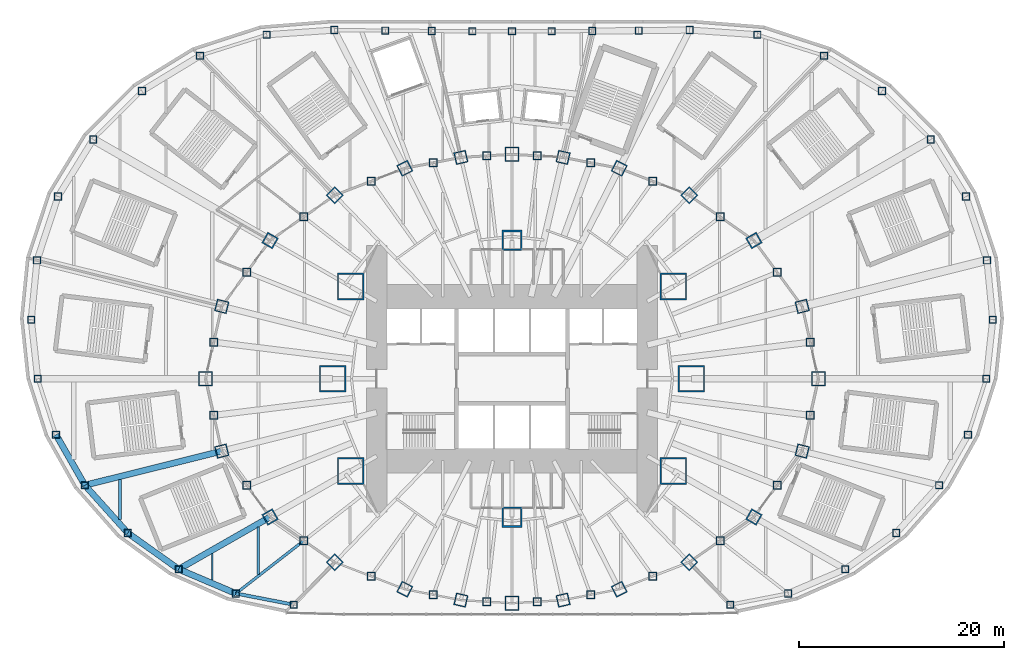
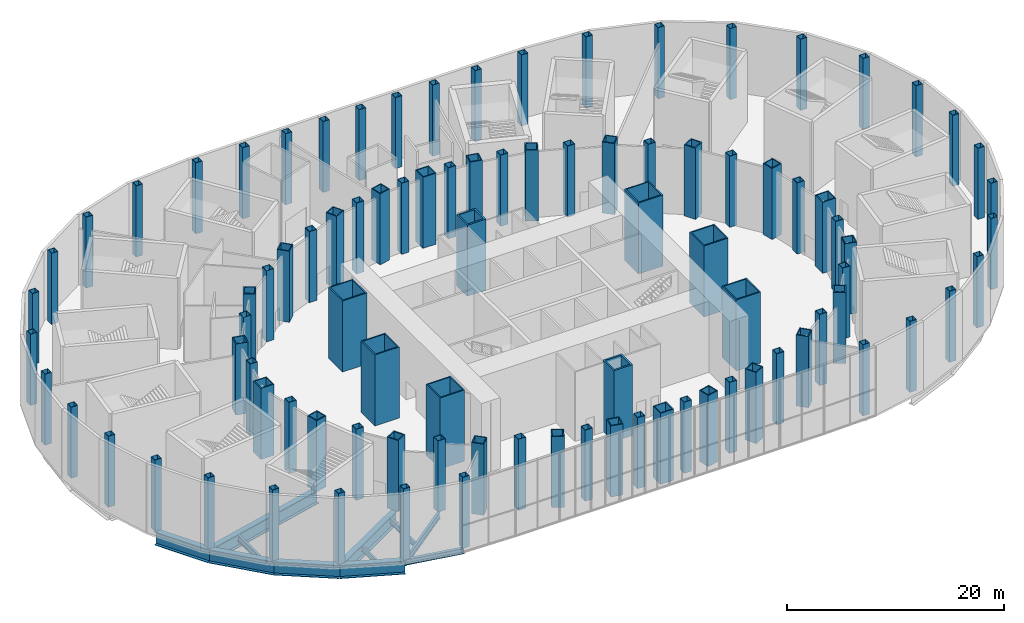
# One storey, part 1 of 74: 93 columns, 11 beams.
"""IFC4 building model written with IfcOpenShell, lengths in metres."""

from ifc_helpers import new_model, si_unit, direction, frame, origin, origin_2d, place, context, subcontext, project, spatial, rectangle, hollow_rectangle, i_section, extrude, material, material_profile, profile_set, type_object, element, save


model = new_model("IFC4")

# Units and contexts
model_context = context("Model", 3, precision=1e-05, world=origin(), true_north=direction((0.0, 1.0)))
body_context = subcontext(model_context, "Body", "Model", "MODEL_VIEW")
ifc_project = project(units=[si_unit("LENGTHUNIT", "METRE"), si_unit("AREAUNIT", "SQUARE_METRE"), si_unit("VOLUMEUNIT", "CUBIC_METRE"), si_unit("PLANEANGLEUNIT", "RADIAN"), si_unit("MASSUNIT", "GRAM", prefix="KILO")], contexts=[model_context])

# Site, building, storey
site_placement = place(None, origin())
site = spatial("IfcSite", under=ifc_project, at=site_placement, CompositionType="ELEMENT")
building_placement = place(site_placement, origin())
building = spatial("IfcBuilding", under=site, at=building_placement, Name="Lantaw Convention Tower", CompositionType="ELEMENT")
storey_placement = place(building_placement, frame((0.0, 0.0, 6.5)))
storey = spatial("IfcBuildingStorey", under=building, at=storey_placement, Name="L01", CompositionType="ELEMENT", Elevation=6.5)

# Columns
ifc_material_1 = material(Name="Steel EN 10025-3 S460N", Category="steel")
ifc_material_profile_1 = material_profile(ifc_material_1, hollow_rectangle(XDim=2.0, YDim=2.0, WallThickness=0.169921875, at=origin_2d()), Name="BOX2000X170")
ifc_material_2 = material(Name="Concrete C60/75", Category="concrete")
ifc_material_profile_2 = material_profile(ifc_material_2, rectangle(XDim=1.659912109375, YDim=1.659912109375, at=origin_2d()), Name="Concrete fill of BOX2000X170")
ifc_profile_set_1 = profile_set([ifc_material_profile_1, ifc_material_profile_2], Name="Steel EN 10025-3 S460N")
column_type_1 = type_object("IfcColumnType", Name="Column MC BOX2000X170", PredefinedType="COLUMN", material=ifc_profile_set_1)
for number, where, z_axis, x_axis, name in (
    (1, (0.0, 13.5, 0.0), (0.0, 0.0, 1.0), (1.0, 0.0, 0.0), "Mega column M3"),
    (2, (0.0, -13.5, 0.0), (0.0, 0.0, 1.0), (1.0, 0.0, 0.0), "Mega column M7"),
):
    element("IfcColumn", number, at=place(storey_placement, frame(where, z_axis=z_axis, x_axis=x_axis)), inside=storey, type_object=column_type_1, Name=name, PredefinedType="COLUMN", context=body_context, shape_type="SweptSolid", body=[
        extrude(hollow_rectangle(XDim=2.0, YDim=2.0, WallThickness=0.169921875, at=origin_2d()), origin(), (0.0, 0.0, 1.0), 8.0),
    ])
ifc_material_profile_3 = material_profile(ifc_material_1, hollow_rectangle(XDim=2.60009765625, YDim=2.60009765625, WallThickness=0.1298828125, at=origin_2d()), Name="BOX2600X130")
ifc_material_profile_4 = material_profile(ifc_material_2, rectangle(XDim=2.340087890625, YDim=2.340087890625, at=origin_2d()), Name="Concrete fill of BOX2600X130")
ifc_profile_set_2 = profile_set([ifc_material_profile_3, ifc_material_profile_4], Name="Steel EN 10025-3 S460N")
column_type_2 = type_object("IfcColumnType", Name="Column MC BOX2600X130", PredefinedType="COLUMN", material=ifc_profile_set_2)
for number, where, z_axis, x_axis, name in (
    (3, (17.5, 0.0, 0.0), (0.0, 0.0, 1.0), (1.0, 0.0, 0.0), "Mega column M1"),
    (4, (15.75, 9.0, 0.0), (0.0, 0.0, 1.0), (1.0, 0.0, 0.0), "Mega column M2"),
    (5, (-15.75, 9.0, 0.0), (0.0, 0.0, 1.0), (1.0, 0.0, 0.0), "Mega column M4"),
    (6, (-17.5, 0.0, 0.0), (0.0, 0.0, 1.0), (1.0, 0.0, 0.0), "Mega column M5"),
    (7, (-15.75, -9.0, 0.0), (0.0, 0.0, 1.0), (1.0, 0.0, 0.0), "Mega column M6"),
    (8, (15.75, -9.0, 0.0), (0.0, 0.0, 1.0), (1.0, 0.0, 0.0), "Mega column M8"),
):
    element("IfcColumn", number, at=place(storey_placement, frame(where, z_axis=z_axis, x_axis=x_axis)), inside=storey, type_object=column_type_2, Name=name, PredefinedType="COLUMN", context=body_context, shape_type="SweptSolid", body=[
        extrude(hollow_rectangle(XDim=2.60009765625, YDim=2.60009765625, WallThickness=0.1298828125, at=origin_2d()), origin(), (0.0, 0.0, 1.0), 8.0),
    ])
ifc_material_profile_5 = material_profile(ifc_material_1, hollow_rectangle(XDim=1.199951171875, YDim=1.199951171875, WallThickness=0.10009765625, at=origin_2d()), Name="BOX1200X100")
ifc_material_profile_6 = material_profile(ifc_material_2, rectangle(XDim=1.0, YDim=1.0, at=origin_2d()), Name="Concrete fill of BOX1200X100")
ifc_profile_set_3 = profile_set([ifc_material_profile_5, ifc_material_profile_6], Name="Steel EN 10025-3 S460N")
column_type_3 = type_object("IfcColumnType", Name="Column PC BOX1200X100", PredefinedType="COLUMN", material=ifc_profile_set_3)
for number, where, z_axis, x_axis, name in (
    (9, (28.31787109375, 7.060302734375, 0.0), (0.0, 0.0, 1.0), (0.970295726276, 0.2419218956, 0.0), "Perimeter column P2"),
    (10, (17.290771484375, 17.9052734375, 0.0), (0.0, 0.0, 1.0), (0.694658370459, 0.719339800339, 0.0), "Perimeter column P4"),
    (11, (10.462646484375, 20.533935546875, 0.0), (0.0, 0.0, 1.0), (0.45399049974, 0.891006524188, 0.0), "Perimeter column P5"),
    (12, (4.986328125, 21.59814453125, 0.0), (0.0, 0.0, 1.0), (0.224951054344, 0.974370064785, 0.0), "Perimeter column P6"),
    (13, (-4.986328125, 21.59814453125, 0.0), (0.0, 0.0, 1.0), (0.974370064785, 0.224951054344, 0.0), "Perimeter column P8"),
    (14, (-10.462646484375, 20.533935546875, 0.0), (0.0, 0.0, 1.0), (0.891006524188, 0.45399049974, 0.0), "Perimeter column P9"),
    (15, (-17.290771484375, 17.9052734375, 0.0), (0.0, 0.0, 1.0), (0.719339800339, 0.694658370459, 0.0), "Perimeter column P10"),
    (16, (-28.31787109375, 7.060302734375, 0.0), (0.0, 0.0, 1.0), (0.2419218956, 0.970295726276, 0.0), "Perimeter column P12"),
    (17, (-28.31787109375, -7.060302734375, 0.0), (0.0, 0.0, 1.0), (0.970295726276, 0.2419218956, 0.0), "Perimeter column P14"),
    (18, (-17.290771484375, -17.9052734375, 0.0), (0.0, 0.0, 1.0), (0.694658370459, 0.719339800339, 0.0), "Perimeter column P16"),
    (19, (-10.462646484375, -20.533935546875, 0.0), (0.0, 0.0, 1.0), (0.45399049974, 0.891006524188, 0.0), "Perimeter column P17"),
    (20, (-4.986328125, -21.59814453125, 0.0), (0.0, 0.0, 1.0), (0.224951054344, 0.974370064785, 0.0), "Perimeter column P18"),
    (21, (4.986328125, -21.59814453125, 0.0), (0.0, 0.0, 1.0), (0.974370064785, 0.224951054344, 0.0), "Perimeter column P20"),
    (22, (10.462646484375, -20.533935546875, 0.0), (0.0, 0.0, 1.0), (0.891006524188, 0.45399049974, 0.0), "Perimeter column P21"),
    (23, (17.290771484375, -17.9052734375, 0.0), (0.0, 0.0, 1.0), (0.719339800339, 0.694658370459, 0.0), "Perimeter column P22"),
    (24, (28.31787109375, -7.060302734375, 0.0), (0.0, 0.0, 1.0), (0.2419218956, 0.970295726276, 0.0), "Perimeter column P24"),
):
    element("IfcColumn", number, at=place(storey_placement, frame(where, z_axis=z_axis, x_axis=x_axis)), inside=storey, type_object=column_type_3, Name=name, PredefinedType="COLUMN", context=body_context, shape_type="SweptSolid", body=[
        extrude(hollow_rectangle(XDim=1.199951171875, YDim=1.199951171875, WallThickness=0.10009765625, at=origin_2d()), origin(), (0.0, 0.0, 1.0), 8.0),
    ])
ifc_material_profile_7 = material_profile(ifc_material_1, hollow_rectangle(XDim=1.199951171875, YDim=1.199951171875, WallThickness=0.1201171875, at=origin_2d()), Name="BOX1200X120")
ifc_material_profile_8 = material_profile(ifc_material_2, rectangle(XDim=0.9599609375, YDim=0.9599609375, at=origin_2d()), Name="Concrete fill of BOX1200X120")
ifc_profile_set_4 = profile_set([ifc_material_profile_7, ifc_material_profile_8], Name="Steel EN 10025-3 S460N")
column_type_4 = type_object("IfcColumnType", Name="Column PC BOX1200X120", PredefinedType="COLUMN", material=ifc_profile_set_4)
for number, where, z_axis, x_axis, name in (
    (25, (23.60498046875, 13.488525390625, 0.0), (0.0, 0.0, 1.0), (0.86824298017, 0.496139221777, 0.0), "Perimeter column P3"),
    (26, (-23.60498046875, 13.488525390625, 0.0), (0.0, 0.0, 1.0), (0.496139221777, 0.86824298017, 0.0), "Perimeter column P11"),
    (27, (-23.60498046875, -13.488525390625, 0.0), (0.0, 0.0, 1.0), (0.86824298017, 0.496139221777, 0.0), "Perimeter column P15"),
    (28, (23.60498046875, -13.488525390625, 0.0), (0.0, 0.0, 1.0), (0.496139221777, 0.86824298017, 0.0), "Perimeter column P23"),
):
    element("IfcColumn", number, at=place(storey_placement, frame(where, z_axis=z_axis, x_axis=x_axis)), inside=storey, type_object=column_type_4, Name=name, PredefinedType="COLUMN", context=body_context, shape_type="SweptSolid", body=[
        extrude(hollow_rectangle(XDim=1.199951171875, YDim=1.199951171875, WallThickness=0.1201171875, at=origin_2d()), origin(), (0.0, 0.0, 1.0), 8.0),
    ])
ifc_material_profile_9 = material_profile(ifc_material_1, hollow_rectangle(XDim=1.39990234375, YDim=1.39990234375, WallThickness=0.10009765625, at=origin_2d()), Name="BOX1400X100")
ifc_material_profile_10 = material_profile(ifc_material_2, rectangle(XDim=1.199951171875, YDim=1.199951171875, at=origin_2d()), Name="Concrete fill of BOX1400X100")
ifc_profile_set_5 = profile_set([ifc_material_profile_9, ifc_material_profile_10], Name="Steel EN 10025-3 S460N")
column_type_5 = type_object("IfcColumnType", Name="Column PC BOX1400X100", PredefinedType="COLUMN", material=ifc_profile_set_5)
for number, where, z_axis, x_axis, name in (
    (29, (29.89990234375, 0.0, 0.0), (0.0, 0.0, 1.0), (1.0, 0.0, 0.0), "Perimeter column P1"),
    (30, (0.0, 21.89990234375, 0.0), (0.0, 0.0, 1.0), (1.0, 0.0, 0.0), "Perimeter column P7"),
    (31, (-29.89990234375, 0.0, 0.0), (0.0, 0.0, 1.0), (1.0, 0.0, 0.0), "Perimeter column P13"),
    (32, (0.0, -21.89990234375, 0.0), (0.0, 0.0, 1.0), (1.0, 0.0, 0.0), "Perimeter column P19"),
):
    element("IfcColumn", number, at=place(storey_placement, frame(where, z_axis=z_axis, x_axis=x_axis)), inside=storey, type_object=column_type_5, Name=name, PredefinedType="COLUMN", context=body_context, shape_type="SweptSolid", body=[
        extrude(hollow_rectangle(XDim=1.39990234375, YDim=1.39990234375, WallThickness=0.10009765625, at=origin_2d()), origin(), (0.0, 0.0, 1.0), 8.0),
    ])
ifc_material_3 = material(Name="Steel ASTM A572 Grade 50", Category="steel")
ifc_material_profile_11 = material_profile(ifc_material_3, hollow_rectangle(XDim=0.800048828125, YDim=0.800048828125, WallThickness=0.050048828125, at=origin_2d()), Name="BOX800X50")
ifc_profile_set_6 = profile_set([ifc_material_profile_11], Name="Steel ASTM A572 Grade 50")
column_type_6 = type_object("IfcColumnType", Name="Column QC BOX800X50", PredefinedType="COLUMN", material=ifc_profile_set_6)
for number, where, z_axis, x_axis, name in (
    (33, (29.099365234375, 3.572998046875, 0.0), (0.0, 0.0, 1.0), (1.0, 0.0, 0.0), "Podium ring column Q1"),
    (34, (25.8779296875, 10.388427734375, 0.0), (0.0, 0.0, 1.0), (1.0, 0.0, 0.0), "Podium ring column Q2"),
    (35, (20.30859375, 15.794189453125, 0.0), (0.0, 0.0, 1.0), (1.0, 0.0, 0.0), "Podium ring column Q3"),
    (36, (13.745361328125, 19.270263671875, 0.0), (0.0, 0.0, 1.0), (1.0, 0.0, 0.0), "Podium ring column Q4"),
    (37, (7.671142578125, 21.076416015625, 0.0), (0.0, 0.0, 1.0), (1.0, 0.0, 0.0), "Podium ring column Q5"),
    (38, (2.47802734375, 21.75, 0.0), (0.0, 0.0, 1.0), (1.0, 0.0, 0.0), "Podium ring column Q6"),
    (39, (-2.47802734375, 21.75, 0.0), (0.0, 0.0, 1.0), (1.0, 0.0, 0.0), "Podium ring column Q7"),
    (40, (-7.671142578125, 21.076416015625, 0.0), (0.0, 0.0, 1.0), (1.0, 0.0, 0.0), "Podium ring column Q8"),
    (41, (-13.745361328125, 19.270263671875, 0.0), (0.0, 0.0, 1.0), (1.0, 0.0, 0.0), "Podium ring column Q9"),
    (42, (-20.30859375, 15.794189453125, 0.0), (0.0, 0.0, 1.0), (1.0, 0.0, 0.0), "Podium ring column Q10"),
    (43, (-25.8779296875, 10.388427734375, 0.0), (0.0, 0.0, 1.0), (1.0, 0.0, 0.0), "Podium ring column Q11"),
    (44, (-29.099365234375, 3.572998046875, 0.0), (0.0, 0.0, 1.0), (1.0, 0.0, 0.0), "Podium ring column Q12"),
    (45, (-29.099365234375, -3.572998046875, 0.0), (0.0, 0.0, 1.0), (1.0, 0.0, 0.0), "Podium ring column Q13"),
    (46, (-25.8779296875, -10.388427734375, 0.0), (0.0, 0.0, 1.0), (1.0, 0.0, 0.0), "Podium ring column Q14"),
    (47, (-20.30859375, -15.794189453125, 0.0), (0.0, 0.0, 1.0), (1.0, 0.0, 0.0), "Podium ring column Q15"),
    (48, (-13.745361328125, -19.270263671875, 0.0), (0.0, 0.0, 1.0), (1.0, 0.0, 0.0), "Podium ring column Q16"),
    (49, (-7.671142578125, -21.076416015625, 0.0), (0.0, 0.0, 1.0), (1.0, 0.0, 0.0), "Podium ring column Q17"),
    (50, (-2.47802734375, -21.75, 0.0), (0.0, 0.0, 1.0), (1.0, 0.0, 0.0), "Podium ring column Q18"),
    (51, (2.47802734375, -21.75, 0.0), (0.0, 0.0, 1.0), (1.0, 0.0, 0.0), "Podium ring column Q19"),
    (52, (7.671142578125, -21.076416015625, 0.0), (0.0, 0.0, 1.0), (1.0, 0.0, 0.0), "Podium ring column Q20"),
    (53, (13.745361328125, -19.270263671875, 0.0), (0.0, 0.0, 1.0), (1.0, 0.0, 0.0), "Podium ring column Q21"),
    (54, (20.308837890625, -15.794189453125, 0.0), (0.0, 0.0, 1.0), (1.0, 0.0, 0.0), "Podium ring column Q22"),
    (55, (25.8779296875, -10.388427734375, 0.0), (0.0, 0.0, 1.0), (1.0, 0.0, 0.0), "Podium ring column Q23"),
    (56, (29.099365234375, -3.572998046875, 0.0), (0.0, 0.0, 1.0), (1.0, 0.0, 0.0), "Podium ring column Q24"),
):
    element("IfcColumn", number, at=place(storey_placement, frame(where, z_axis=z_axis, x_axis=x_axis)), inside=storey, type_object=column_type_6, Name=name, PredefinedType="COLUMN", context=body_context, shape_type="SweptSolid", body=[
        extrude(hollow_rectangle(XDim=0.800048828125, YDim=0.800048828125, WallThickness=0.050048828125, at=origin_2d()), origin(), (0.0, 0.0, 1.0), 8.0),
    ])
ifc_material_profile_12 = material_profile(ifc_material_3, hollow_rectangle(XDim=0.699951171875, YDim=0.699951171875, WallThickness=0.0400390625, at=origin_2d()), Name="BOX700X40")
ifc_profile_set_7 = profile_set([ifc_material_profile_12], Name="Steel ASTM A572 Grade 50")
column_type_7 = type_object("IfcColumnType", Name="Column RC BOX700X40", PredefinedType="COLUMN", material=ifc_profile_set_7)
for number, where, z_axis, x_axis, name in (
    (57, (46.907958984375, 5.759521484375, 0.0), (0.0, 0.0, 1.0), (1.0, 0.0, 0.0), "Podium column B00"),
    (58, (44.29248046875, 17.78076171875, 0.0), (0.0, 0.0, 1.0), (1.0, 0.0, 0.0), "Podium column B01"),
    (59, (36.107666015625, 28.081298828125, 0.0), (0.0, 0.0, 1.0), (1.0, 0.0, 0.0), "Podium column B02"),
    (60, (23.940185546875, 33.562744140625, 0.0), (0.0, 0.0, 1.0), (1.0, 0.0, 0.0), "Podium column B03"),
    (61, (12.36279296875, 33.96630859375, 0.0), (0.0, 0.0, 1.0), (1.0, 0.0, 0.0), "Podium column B04"),
    (62, (3.86328125, 33.906982421875, 0.0), (0.0, 0.0, 1.0), (1.0, 0.0, 0.0), "Podium column B05"),
    (63, (-3.86328125, 33.906982421875, 0.0), (0.0, 0.0, 1.0), (1.0, 0.0, 0.0), "Podium column B06"),
    (64, (-12.36279296875, 33.96630859375, 0.0), (0.0, 0.0, 1.0), (1.0, 0.0, 0.0), "Podium column B07"),
    (65, (-23.940185546875, 33.562744140625, 0.0), (0.0, 0.0, 1.0), (1.0, 0.0, 0.0), "Podium column B08"),
    (66, (-36.107666015625, 28.081298828125, 0.0), (0.0, 0.0, 1.0), (1.0, 0.0, 0.0), "Podium column B09"),
    (67, (-44.29248046875, 17.78076171875, 0.0), (0.0, 0.0, 1.0), (1.0, 0.0, 0.0), "Podium column B10"),
    (68, (-46.907958984375, 5.759521484375, 0.0), (0.0, 0.0, 1.0), (1.0, 0.0, 0.0), "Podium column B11"),
    (69, (-44.488525390625, -5.46240234375, 0.0), (0.0, 0.0, 1.0), (1.0, 0.0, 0.0), "Podium column B12"),
    (70, (-37.486572265625, -15.048583984375, 0.0), (0.0, 0.0, 1.0), (1.0, 0.0, 0.0), "Podium column B13"),
    (71, (-26.94287109375, -20.95361328125, 0.0), (0.0, 0.0, 1.0), (1.0, 0.0, 0.0), "Podium column B14"),
    (72, (26.94287109375, -20.95361328125, 0.0), (0.0, 0.0, 1.0), (1.0, 0.0, 0.0), "Podium column B21"),
    (73, (37.486572265625, -15.048583984375, 0.0), (0.0, 0.0, 1.0), (1.0, 0.0, 0.0), "Podium column B22"),
    (74, (44.488525390625, -5.46240234375, 0.0), (0.0, 0.0, 1.0), (1.0, 0.0, 0.0), "Podium column B23"),
    (75, (46.2724609375, 0.0, 0.0), (0.0, 0.0, 1.0), (1.0, 0.0, 0.0), "Podium column R00"),
    (76, (46.342529296875, 11.554443359375, 0.0), (0.0, 0.0, 1.0), (1.0, 0.0, 0.0), "Podium column R01"),
    (77, (40.864013671875, 23.350830078125, 0.0), (0.0, 0.0, 1.0), (1.0, 0.0, 0.0), "Podium column R02"),
    (78, (30.43603515625, 31.517578125, 0.0), (0.0, 0.0, 1.0), (1.0, 0.0, 0.0), "Podium column R03"),
    (79, (17.333984375, 34.019775390625, 0.0), (0.0, 0.0, 1.0), (1.0, 0.0, 0.0), "Podium column R04"),
    (80, (7.8330078125, 33.92822265625, 0.0), (0.0, 0.0, 1.0), (1.0, 0.0, 0.0), "Podium column R05"),
    (81, (0.0, 33.89990234375, 0.0), (0.0, 0.0, 1.0), (1.0, 0.0, 0.0), "Podium column R06"),
    (82, (-7.8330078125, 33.92822265625, 0.0), (0.0, 0.0, 1.0), (1.0, 0.0, 0.0), "Podium column R07"),
    (83, (-17.333984375, 34.019775390625, 0.0), (0.0, 0.0, 1.0), (1.0, 0.0, 0.0), "Podium column R08"),
    (84, (-30.43603515625, 31.517578125, 0.0), (0.0, 0.0, 1.0), (1.0, 0.0, 0.0), "Podium column R09"),
    (85, (-40.864013671875, 23.350830078125, 0.0), (0.0, 0.0, 1.0), (1.0, 0.0, 0.0), "Podium column R10"),
    (86, (-46.342529296875, 11.554443359375, 0.0), (0.0, 0.0, 1.0), (1.0, 0.0, 0.0), "Podium column R11"),
    (87, (-46.2724609375, 0.0, 0.0), (0.0, 0.0, 1.0), (1.0, 0.0, 0.0), "Podium column R12"),
    (88, (-41.67236328125, -10.39013671875, 0.0), (0.0, 0.0, 1.0), (1.0, 0.0, 0.0), "Podium column R13"),
    (89, (-32.5205078125, -18.5830078125, 0.0), (0.0, 0.0, 1.0), (1.0, 0.0, 0.0), "Podium column R14"),
    (90, (-21.290771484375, -22.04736328125, 0.0), (0.0, 0.0, 1.0), (1.0, 0.0, 0.0), "Podium column R15"),
    (91, (21.290771484375, -22.04736328125, 0.0), (0.0, 0.0, 1.0), (1.0, 0.0, 0.0), "Podium column R21"),
    (92, (32.5205078125, -18.5830078125, 0.0), (0.0, 0.0, 1.0), (1.0, 0.0, 0.0), "Podium column R22"),
    (93, (41.67236328125, -10.39013671875, 0.0), (0.0, 0.0, 1.0), (1.0, 0.0, 0.0), "Podium column R23"),
):
    element("IfcColumn", number, at=place(storey_placement, frame(where, z_axis=z_axis, x_axis=x_axis)), inside=storey, type_object=column_type_7, Name=name, PredefinedType="COLUMN", context=body_context, shape_type="SweptSolid", body=[
        extrude(hollow_rectangle(XDim=0.699951171875, YDim=0.699951171875, WallThickness=0.0400390625, at=origin_2d()), origin(), (0.0, 0.0, 1.0), 8.0),
    ])

# Beams
ifc_material_profile_13 = material_profile(ifc_material_3, i_section(OverallWidth=0.60009765625, OverallDepth=1.5, WebThickness=0.02490234375, FlangeThickness=0.06005859375, at=origin_2d()), Name="PG1500X600X25X60")
ifc_profile_set_8 = profile_set([ifc_material_profile_13], Name="Steel ASTM A572 Grade 50")
beam_type_1 = type_object("IfcBeamType", Name="Beam E PG1500X600X25X60", PredefinedType="SPANDREL", material=ifc_profile_set_8)
beam_1_placement = place(storey_placement, frame((-44.488525390625, -5.46240234375, -0.949951171875), z_axis=(0.496180629465, -0.868219317306, 0.0), x_axis=(0.868219317306, 0.496180629465, 0.0)))
element("IfcBeam", 94, at=beam_1_placement, inside=storey, type_object=beam_type_1, Name="Podium edge beam B12", PredefinedType="SPANDREL", context=body_context, shape_type="SweptSolid", body=[
    extrude(i_section(OverallWidth=0.60009765625, OverallDepth=1.5, WebThickness=0.02490234375, FlangeThickness=0.06005859375, at=origin_2d()), origin(), (0.0, 0.0, 1.0), 5.67578125),
])
beam_2_placement = place(storey_placement, frame((-41.67236328125, -10.39013671875, -0.949951171875), z_axis=(0.668363614772, -0.74383471178, 0.0), x_axis=(0.74383471178, 0.668363614772, 0.0)))
element("IfcBeam", 95, at=beam_2_placement, inside=storey, type_object=beam_type_1, Name="Podium edge beam R13", PredefinedType="SPANDREL", context=body_context, shape_type="SweptSolid", body=[
    extrude(i_section(OverallWidth=0.60009765625, OverallDepth=1.5, WebThickness=0.02490234375, FlangeThickness=0.06005859375, at=origin_2d()), origin(), (0.0, 0.0, 1.0), 6.2626953125),
])
beam_3_placement = place(storey_placement, frame((-37.486572265625, -15.048583984375, -0.949951171875), z_axis=(0.814722795246, -0.579850641895, 0.0), x_axis=(0.579850641895, 0.814722795246, 0.0)))
element("IfcBeam", 96, at=beam_3_placement, inside=storey, type_object=beam_type_1, Name="Podium edge beam B13", PredefinedType="SPANDREL", context=body_context, shape_type="SweptSolid", body=[
    extrude(i_section(OverallWidth=0.60009765625, OverallDepth=1.5, WebThickness=0.02490234375, FlangeThickness=0.06005859375, at=origin_2d()), origin(), (0.0, 0.0, 1.0), 6.095458984375),
])
beam_4_placement = place(storey_placement, frame((-32.5205078125, -18.5830078125, -0.949951171875), z_axis=(0.920324392734, -0.391155994636, 0.0), x_axis=(0.391155994636, 0.920324392734, 0.0)))
element("IfcBeam", 97, at=beam_4_placement, inside=storey, type_object=beam_type_1, Name="Podium edge beam R14", PredefinedType="SPANDREL", context=body_context, shape_type="SweptSolid", body=[
    extrude(i_section(OverallWidth=0.60009765625, OverallDepth=1.5, WebThickness=0.02490234375, FlangeThickness=0.06005859375, at=origin_2d()), origin(), (0.0, 0.0, 1.0), 6.060546875),
])
ifc_material_4 = material(Name="Steel ASTM A992", Category="steel")
ifc_material_profile_14 = material_profile(ifc_material_4, i_section(OverallWidth=0.3251953125, OverallDepth=0.612060546875, WebThickness=0.0126953125, FlangeThickness=0.01904296875, FilletRadius=0.0126953125, at=origin_2d()), Name="W24X104")
ifc_profile_set_9 = profile_set([ifc_material_profile_14], Name="Steel ASTM A992")
beam_type_2 = type_object("IfcBeamType", Name="Beam E W24X104", PredefinedType="SPANDREL", material=ifc_profile_set_9)
beam_5_placement = place(storey_placement, frame((-26.94287109375, -20.95361328125, -0.506103515625), z_axis=(0.981786485539, -0.18998762279, 0.0), x_axis=(0.18998762279, 0.981786485539, 0.0)))
element("IfcBeam", 98, at=beam_5_placement, inside=storey, type_object=beam_type_2, Name="Podium edge beam B14", PredefinedType="SPANDREL", context=body_context, shape_type="SweptSolid", body=[
    extrude(i_section(OverallWidth=0.3251953125, OverallDepth=0.612060546875, WebThickness=0.0126953125, FlangeThickness=0.01904296875, FilletRadius=0.0126953125, at=origin_2d()), origin(), (0.0, 0.0, 1.0), 5.7568359375),
])
ifc_material_profile_15 = material_profile(ifc_material_4, i_section(OverallWidth=0.177978515625, OverallDepth=0.599365234375, WebThickness=0.010009765625, FlangeThickness=0.012939453125, FilletRadius=0.012939453125, at=origin_2d()), Name="W24X55")
ifc_profile_set_10 = profile_set([ifc_material_profile_15], Name="Steel ASTM A992")
beam_type_3 = type_object("IfcBeamType", Name="Beam J W24X55", PredefinedType="JOIST", material=ifc_profile_set_10)
beam_6_placement = place(storey_placement, frame((-29.25, -19.647216796875, -0.499755859375), z_axis=(0.0, 1.0, 0.0), x_axis=(-1.0, 0.0, 0.0)))
element("IfcBeam", 99, at=beam_6_placement, inside=storey, type_object=beam_type_3, Name="Floor joist", PredefinedType="JOIST", context=body_context, shape_type="SweptSolid", body=[
    extrude(i_section(OverallWidth=0.177978515625, OverallDepth=0.599365234375, WebThickness=0.010009765625, FlangeThickness=0.012939453125, FilletRadius=0.012939453125, at=origin_2d()), origin(), (0.0, 0.0, 1.0), 2.58740234375),
])
ifc_material_profile_16 = material_profile(ifc_material_4, i_section(OverallWidth=0.227783203125, OverallDepth=0.60205078125, WebThickness=0.010498046875, FlangeThickness=0.014892578125, FilletRadius=0.012939453125, at=origin_2d()), Name="W24X68")
ifc_profile_set_11 = profile_set([ifc_material_profile_16], Name="Steel ASTM A992")
beam_type_4 = type_object("IfcBeamType", Name="Beam J W24X68", PredefinedType="JOIST", material=ifc_profile_set_11)
beam_7_placement = place(storey_placement, frame((-24.75, -19.079345703125, -0.5009765625), z_axis=(0.0, 1.0, 0.0), x_axis=(-1.0, 0.0, 0.0)))
element("IfcBeam", 100, at=beam_7_placement, inside=storey, type_object=beam_type_4, Name="Floor joist", PredefinedType="JOIST", context=body_context, shape_type="SweptSolid", body=[
    extrude(i_section(OverallWidth=0.227783203125, OverallDepth=0.60205078125, WebThickness=0.010498046875, FlangeThickness=0.014892578125, FilletRadius=0.012939453125, at=origin_2d()), origin(), (0.0, 0.0, 1.0), 4.591064453125),
])
ifc_material_profile_17 = material_profile(ifc_material_4, i_section(OverallWidth=0.25390625, OverallDepth=0.700927734375, WebThickness=0.015380859375, FlangeThickness=0.02783203125, FilletRadius=0.01513671875, at=origin_2d()), Name="W27X129")
ifc_profile_set_12 = profile_set([ifc_material_profile_17], Name="Steel ASTM A992")
beam_type_5 = type_object("IfcBeamType", Name="Beam J W27X129", PredefinedType="JOIST", material=ifc_profile_set_12)
beam_8_placement = place(storey_placement, frame((-38.25, -13.75, -0.550537109375), z_axis=(0.0, 1.0, 0.0), x_axis=(-1.0, 0.0, 0.0)))
element("IfcBeam", 101, at=beam_8_placement, inside=storey, type_object=beam_type_5, Name="Floor joist", PredefinedType="JOIST", context=body_context, shape_type="SweptSolid", body=[
    extrude(i_section(OverallWidth=0.25390625, OverallDepth=0.700927734375, WebThickness=0.015380859375, FlangeThickness=0.02783203125, FilletRadius=0.01513671875, at=origin_2d()), origin(), (0.0, 0.0, 1.0), 3.904052734375),
])
ifc_material_profile_18 = material_profile(ifc_material_3, i_section(OverallWidth=0.60009765625, OverallDepth=1.5, WebThickness=0.02490234375, FlangeThickness=0.06005859375, at=origin_2d()), Name="PG1500X600X25X60")
ifc_profile_set_13 = profile_set([ifc_material_profile_18], Name="Steel ASTM A572 Grade 50")
beam_type_6 = type_object("IfcBeamType", Name="Beam PG PG1500X600X25X60", PredefinedType="BEAM", material=ifc_profile_set_13)
beam_9_placement = place(storey_placement, frame((-28.31787109375, -7.060302734375, -0.949951171875), z_axis=(-0.97029256898, -0.24193455847, 0.0), x_axis=(0.24193455847, -0.97029256898, 0.0)))
element("IfcBeam", 102, at=beam_9_placement, inside=storey, type_object=beam_type_6, Name="Podium girder PR14", PredefinedType="BEAM", context=body_context, shape_type="SweptSolid", body=[
    extrude(i_section(OverallWidth=0.60009765625, OverallDepth=1.5, WebThickness=0.02490234375, FlangeThickness=0.06005859375, at=origin_2d()), origin(), (0.0, 0.0, 1.0), 13.763427734375),
])
beam_10_placement = place(storey_placement, frame((-23.60498046875, -13.488525390625, -0.949951171875), z_axis=(-0.868247531483, -0.4961312569, 0.0), x_axis=(0.4961312569, -0.868247531483, 0.0)))
element("IfcBeam", 103, at=beam_10_placement, inside=storey, type_object=beam_type_6, Name="Podium girder PR15", PredefinedType="BEAM", context=body_context, shape_type="SweptSolid", body=[
    extrude(i_section(OverallWidth=0.60009765625, OverallDepth=1.5, WebThickness=0.02490234375, FlangeThickness=0.06005859375, at=origin_2d()), origin(), (0.0, 0.0, 1.0), 10.268310546875),
])
ifc_material_profile_19 = material_profile(ifc_material_4, i_section(OverallWidth=0.2666015625, OverallDepth=0.7568359375, WebThickness=0.013916015625, FlangeThickness=0.019287109375, FilletRadius=0.0126953125, at=origin_2d()), Name="W30X108")
ifc_profile_set_14 = profile_set([ifc_material_profile_19], Name="Steel ASTM A992")
beam_type_7 = type_object("IfcBeamType", Name="Beam PG W30X108", PredefinedType="BEAM", material=ifc_profile_set_14)
beam_11_placement = place(storey_placement, frame((-20.30859375, -15.794189453125, -0.578369140625), z_axis=(-0.789385064276, -0.613898379456, 0.0), x_axis=(0.613898379456, -0.789385064276, 0.0)))
element("IfcBeam", 104, at=beam_11_placement, inside=storey, type_object=beam_type_7, Name="Podium girder PB15", PredefinedType="BEAM", context=body_context, shape_type="SweptSolid", body=[
    extrude(i_section(OverallWidth=0.2666015625, OverallDepth=0.7568359375, WebThickness=0.013916015625, FlangeThickness=0.019287109375, FilletRadius=0.0126953125, at=origin_2d()), origin(), (0.0, 0.0, 1.0), 8.404296875),
])

save(model, "model.ifc")
